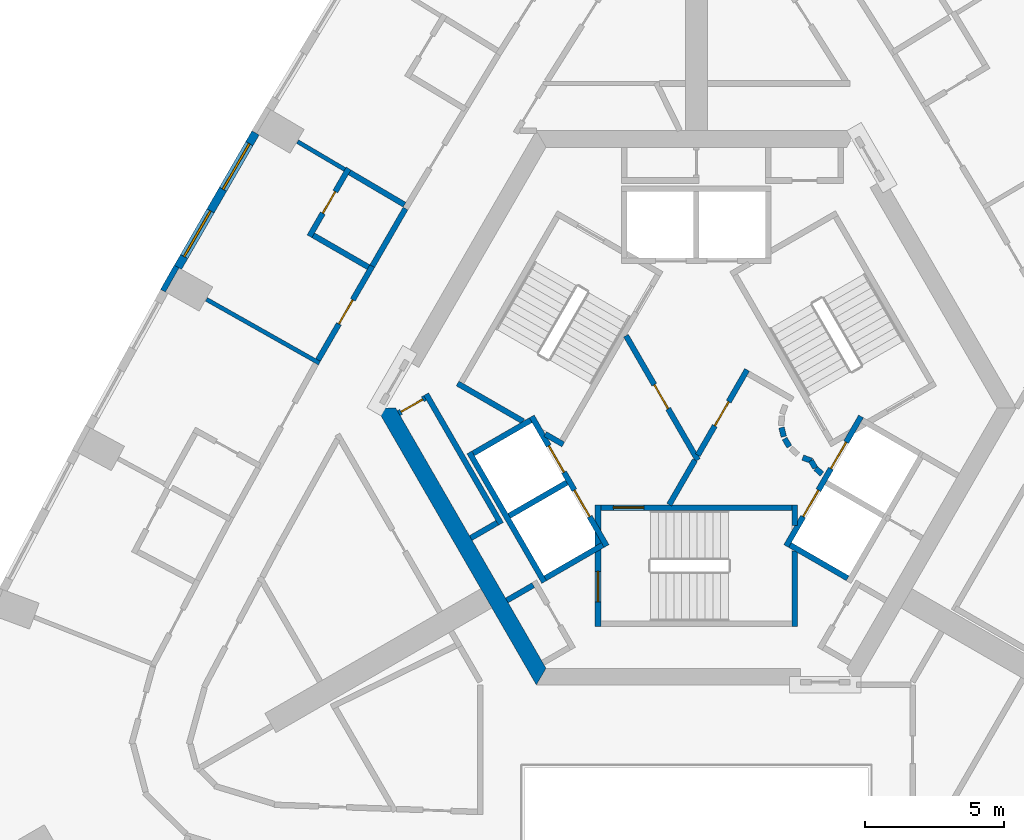
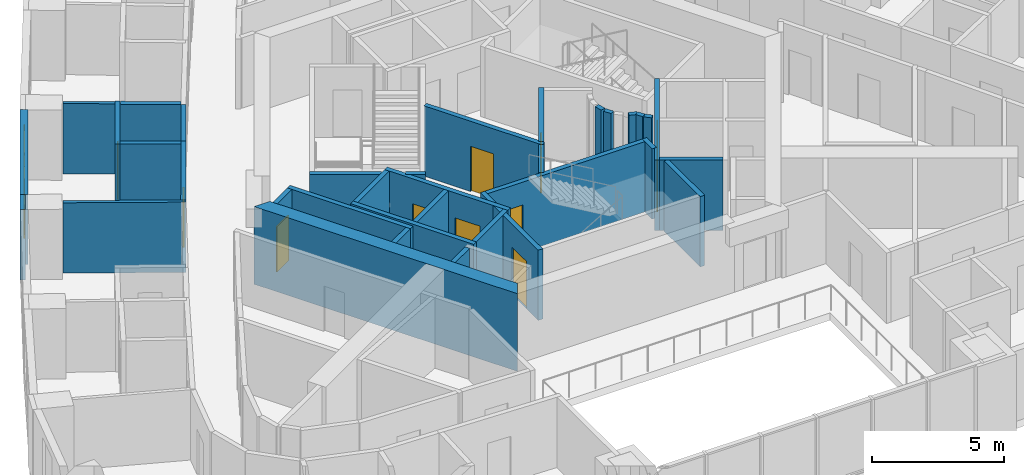
# One storey, part 5 of 12: 35 walls, 11 doors, 2 windows, 13 openings.
"""IFC4 building model written with IfcOpenShell, lengths in metres."""

import ifcopenshell
import ifcopenshell.guid

model = None  # the IFC model being written
_history = None  # IfcOwnerHistory: only IFC2X3 demands one
_inside = {}  # id of a spatial element -> (the spatial element, [elements in it])
_under = {}  # id of a project, library or spatial element -> (it, [spatial elements below it])
_declared = {}  # id of a project -> (the project, [libraries it declares])
_typed = {}  # id of a type object -> (the type object, [elements of that type])
_made_of = {}  # id of a material, layer set ... -> (it, [elements and type objects made of it])


def new_model(schema):
    """Start an empty IFC model of exactly this schema.

    Asked for "IFC4X3", IfcOpenShell would pick the latest addendum, in which some entities
    have other attributes; the version numbers below select the first issue.
    IFC2X3 requires an IfcOwnerHistory on every rooted entity: one is made here for all.
    """
    global model, _history
    if schema == "IFC4X3":
        model = ifcopenshell.file(schema_version=(4, 3, 0, 0))
    else:
        model = ifcopenshell.file(schema=schema)
    _inside.clear()
    _under.clear()
    _declared.clear()
    _typed.clear()
    _made_of.clear()
    _history = None
    if model.schema == "IFC2X3":
        org = make("IfcOrganization", Name="unknown")
        user = make(
            "IfcPersonAndOrganization",
            ThePerson=make("IfcPerson", FamilyName="unknown"),
            TheOrganization=org,
        )
        app = make(
            "IfcApplication",
            ApplicationDeveloper=org,
            Version="unknown",
            ApplicationFullName="unknown",
            ApplicationIdentifier="unknown",
        )
        _history = make(
            "IfcOwnerHistory",
            OwningUser=user,
            OwningApplication=app,
            ChangeAction="ADDED",
            CreationDate=0,
        )
    return model


def make(cls, **values):
    """One entity of the class cls with the attributes given. An attribute that is None is left unset."""
    return model.create_entity(
        cls, **{name: value for name, value in values.items() if value is not None}
    )


def rooted(cls, **values):
    """An entity with a GlobalId (a new one), such as an element, a storey or a relation."""
    return make(cls, GlobalId=ifcopenshell.guid.new(), OwnerHistory=_history, **values)


def si_unit(unit_type, name, prefix=None):
    """IfcSIUnit, for example si_unit("LENGTHUNIT", "METRE", prefix="MILLI")."""
    return make("IfcSIUnit", UnitType=unit_type, Prefix=prefix, Name=name)


def assignment(units):
    """IfcUnitAssignment: the units of a project."""
    return None if units is None else make("IfcUnitAssignment", Units=units)


def point(xyz):
    """IfcCartesianPoint."""
    return None if xyz is None else make("IfcCartesianPoint", Coordinates=xyz)


def direction(xyz):
    """IfcDirection."""
    return None if xyz is None else make("IfcDirection", DirectionRatios=xyz)


def frame(location, z_axis=None, x_axis=None):
    """IfcAxis2Placement3D, a coordinate frame: its origin and axes. An axis left out is left unset."""
    return make(
        "IfcAxis2Placement3D",
        Location=point(location),
        Axis=direction(z_axis),
        RefDirection=direction(x_axis),
    )


def frame_2d(location, x_axis=None):
    """IfcAxis2Placement2D, a coordinate frame in the plane: its origin and x axis."""
    return make(
        "IfcAxis2Placement2D", Location=point(location), RefDirection=direction(x_axis)
    )


def origin():
    """The frame at (0, 0, 0) with its axes left unset."""
    return frame((0.0, 0.0, 0.0))


def place(relative_to, where):
    """IfcLocalPlacement: puts the frame where relative to a parent placement (None: the world)."""
    return make(
        "IfcLocalPlacement", PlacementRelTo=relative_to, RelativePlacement=where
    )


def context(
    kind, dimensions, precision=None, world=None, true_north=None, identifier=None
):
    """IfcGeometricRepresentationContext, for example the 3D "Model" context."""
    return make(
        "IfcGeometricRepresentationContext",
        ContextIdentifier=identifier,
        ContextType=kind,
        CoordinateSpaceDimension=dimensions,
        Precision=precision,
        WorldCoordinateSystem=world,
        TrueNorth=true_north,
    )


def subcontext(parent, identifier, kind, view, scale=None):
    """IfcGeometricRepresentationSubContext, for example "Body" below "Model"."""
    return make(
        "IfcGeometricRepresentationSubContext",
        ContextIdentifier=identifier,
        ContextType=kind,
        ParentContext=parent,
        TargetScale=scale,
        TargetView=view,
    )


def project(units=None, contexts=None):
    """IfcProject with its units and contexts."""
    return rooted(
        "IfcProject",
        Name="project",
        RepresentationContexts=contexts,
        UnitsInContext=assignment(units),
    )


def spatial(cls, under=None, at=None, **own):
    """A site, building, storey or space (cls), placed at a placement, below another one or the project."""
    s = rooted(cls, ObjectPlacement=at, **own)
    if under is not None:
        _under.setdefault(under.id(), (under, []))[1].append(s)
    return s


def polyline(points):
    """IfcPolyline through the points."""
    return make("IfcPolyline", Points=[point(p) for p in points])


def profile(cls, at=None, kind="AREA", **sizes):
    """A parametric profile (cls). Its sizes go by their IFC names, for example OverallWidth=200.0."""
    return make(cls, ProfileType=kind, Position=at, **sizes)


def rectangle(**sizes):
    """IfcRectangleProfileDef."""
    return profile("IfcRectangleProfileDef", **sizes)


def outline(outer, holes=None, kind="AREA"):
    """IfcArbitraryClosedProfileDef: a profile drawn as a closed curve; with holes, ...WithVoids."""
    if holes is None:
        return make("IfcArbitraryClosedProfileDef", ProfileType=kind, OuterCurve=outer)
    return make(
        "IfcArbitraryProfileDefWithVoids",
        ProfileType=kind,
        OuterCurve=outer,
        InnerCurves=holes,
    )


def extrude(swept, where, along, depth):
    """IfcExtrudedAreaSolid: the profile swept, set in the frame where, extruded along a direction by depth."""
    return make(
        "IfcExtrudedAreaSolid",
        SweptArea=swept,
        Position=where,
        ExtrudedDirection=direction(along),
        Depth=depth,
    )


def shape(context_of_items, identifier, shape_type, items):
    """IfcShapeRepresentation: the items that make up one representation, for example the "Body"."""
    return make(
        "IfcShapeRepresentation",
        ContextOfItems=context_of_items,
        RepresentationIdentifier=identifier,
        RepresentationType=shape_type,
        Items=items,
    )


def material(Name=None, Category=None):
    """IfcMaterial."""
    return make("IfcMaterial", Name=Name, Category=Category)


def layer(
    of_material, thickness, ventilated=None, Name=None, Category=None, Priority=None
):
    """IfcMaterialLayer: one layer of a wall or slab, of a material (None: an air gap)."""
    return make(
        "IfcMaterialLayer",
        Material=of_material,
        LayerThickness=thickness,
        IsVentilated=ventilated,
        Name=Name,
        Category=Category,
        Priority=Priority,
    )


def layer_set(layers, Name=None):
    """IfcMaterialLayerSet."""
    return make("IfcMaterialLayerSet", MaterialLayers=layers, LayerSetName=Name)


def made_of(thing, what):
    """Note that an element or type object is made of a material, layer set ...; save() writes the relation."""
    if what is not None:
        _made_of.setdefault(what.id(), (what, []))[1].append(thing)
    return thing


def type_object(cls, material=None, **own):
    """A type object (cls), such as IfcWallType, which elements share."""
    return made_of(rooted(cls, **own), material)


def element(
    cls,
    number,
    at=None,
    inside=None,
    cuts=None,
    type_object=None,
    material=None,
    context=None,
    identifier="Body",
    shape_type=None,
    held_by="IfcProductDefinitionShape",
    body=None,
    shapes=None,
    **own,
):
    """One element of the class cls, such as IfcWall. Its Tag is "e" and its number.

    at: its placement. inside: the storey or other place that contains it. cuts: it is an
    opening in that element (IfcRelVoidsElement). A single representation is given by context,
    identifier, shape_type and body (its items); several are given by shapes. held_by: the class
    of the entity that holds the representations. save() writes the other relations.
    """
    e = rooted(cls, Tag="e%d" % number, ObjectPlacement=at, **own)
    if body is not None:
        shapes = [shape(context, identifier, shape_type, body)]
    if shapes is not None:
        e.Representation = make(held_by, Representations=shapes)
    if inside is not None:
        _inside.setdefault(inside.id(), (inside, []))[1].append(e)
    if cuts is not None:
        rooted(
            "IfcRelVoidsElement", RelatingBuildingElement=cuts, RelatedOpeningElement=e
        )
    if type_object is not None:
        _typed.setdefault(type_object.id(), (type_object, []))[1].append(e)
    return made_of(e, material)


def fill(opening, filler):
    """IfcRelFillsElement: the door or window that sits in an opening."""
    return rooted(
        "IfcRelFillsElement",
        RelatingOpeningElement=opening,
        RelatedBuildingElement=filler,
    )


def aggregate(whole, parts):
    """IfcRelAggregates: a whole, such as a stair, and the parts it consists of."""
    return rooted("IfcRelAggregates", RelatingObject=whole, RelatedObjects=parts)


def save(model, path):
    """Write the relations noted so far, then the file.

    IfcRelAggregates (storeys below a building ...), IfcRelContainedInSpatialStructure (elements
    in a storey), IfcRelDefinesByType, IfcRelAssociatesMaterial and IfcRelDeclares: one each for
    every whole, place, type object, material and project.
    """
    for whole, parts in _under.values():
        aggregate(whole, parts)
    for where, things in _inside.values():
        rooted(
            "IfcRelContainedInSpatialStructure",
            RelatedElements=things,
            RelatingStructure=where,
        )
    for kind, things in _typed.values():
        rooted("IfcRelDefinesByType", RelatedObjects=things, RelatingType=kind)
    for what, things in _made_of.values():
        rooted("IfcRelAssociatesMaterial", RelatedObjects=things, RelatingMaterial=what)
    for by, libraries in _declared.values():
        rooted("IfcRelDeclares", RelatingContext=by, RelatedDefinitions=libraries)
    model.write(path)


model = new_model("IFC4")

# Units and contexts
model_context = context("Model", 3, precision=1e-05, world=origin(), true_north=direction((0.0, 1.0)))
body_context = subcontext(model_context, "Body", "Model", "MODEL_VIEW")
ifc_project = project(units=[si_unit("LENGTHUNIT", "METRE"), si_unit("AREAUNIT", "SQUARE_METRE"), si_unit("VOLUMEUNIT", "CUBIC_METRE"), si_unit("PLANEANGLEUNIT", "RADIAN"), si_unit("MASSUNIT", "GRAM", prefix="KILO")], contexts=[model_context])

# Site, building, storey
site_placement = place(None, origin())
site = spatial("IfcSite", under=ifc_project, at=site_placement, CompositionType="ELEMENT")
building_placement = place(site_placement, origin())
building = spatial("IfcBuilding", under=site, at=building_placement, Name="Entoto Arch Interchange Tower", CompositionType="ELEMENT")
storey_placement = place(building_placement, frame((0.0, 0.0, 255.800048828125)))
storey = spatial("IfcBuildingStorey", under=building, at=storey_placement, Name="L58", CompositionType="ELEMENT", Elevation=255.800048828125)

# Wall
ifc_material_1 = material(Name="Concrete C40/50", Category="concrete")
ifc_layer_1 = layer(ifc_material_1, 0.60009765625)
ifc_layer_set_1 = layer_set([ifc_layer_1], Name="Concrete C40/50")
wall_type_1 = type_object("IfcWallType", Name="Core wall 600 C40/50", PredefinedType="SHEAR", material=ifc_layer_set_1)
wall_1_placement = place(storey_placement, frame((0.0, 0.0, -0.340087890625)))
element("IfcWall", 1, at=wall_1_placement, inside=storey, type_object=wall_type_1, Name="Core wall SW L58", PredefinedType="SHEAR", context=body_context, shape_type="SweptSolid", body=[
    extrude(outline(polyline([(-11.547119140625, 2.5), (-5.77392578125, -7.5), (-5.427001953125, -6.89990234375), (-10.85400390625, 2.5), (-11.547119140625, 2.5)])), origin(), (0.0, 0.0, 1.0), 3.60009765625),
])

# Wall, openings, doors
ifc_layer_2 = layer(ifc_material_1, 0.199951171875)
ifc_layer_set_2 = layer_set([ifc_layer_2], Name="Concrete C40/50")
wall_type_2 = type_object("IfcWallType", Name="LIFT SHAFT WALL 200", PredefinedType="STANDARD", material=ifc_layer_set_2)
wall_2_placement = place(storey_placement, frame((-5.93994140625, 2.18798828125, 0.0), z_axis=(0.0, 0.0, 1.0), x_axis=(0.500034260056, -0.866005622828, 0.0)))
wall_2 = element("IfcWall", 2, at=wall_2_placement, inside=storey, type_object=wall_type_2, Name="Shaft wall SW1 front", PredefinedType="STANDARD", context=body_context, shape_type="SweptSolid", body=[
    extrude(rectangle(XDim=5.3994140625, YDim=0.199951171875, at=frame_2d((2.69970703125, 0.0))), origin(), (0.0, 0.0, 1.0), 3.260009765625),
])
opening_1_placement = place(wall_2_placement, frame((3.074951171875, 0.0, 0.0)))
opening_1 = element("IfcOpeningElement", 3, at=opening_1_placement, cuts=wall_2, Name="Opening LD-HR4-L58", PredefinedType="OPENING", context=body_context, shape_type="SweptSolid", body=[
    extrude(rectangle(XDim=1.10009765625, YDim=2.10009765625, at=frame_2d((0.550048828125, 1.050048828125))), frame((0.0, 0.10986328125, 0.0), z_axis=(0.0, -1.0, 0.0), x_axis=(1.0, 0.0, 0.0)), (0.0, 0.0, 1.0), 0.219970703125),
])
opening_2_placement = place(wall_2_placement, frame((1.22509765625, 0.0, 0.0)))
opening_2 = element("IfcOpeningElement", 4, at=opening_2_placement, cuts=wall_2, Name="Opening LD-FF2-L58", PredefinedType="OPENING", context=body_context, shape_type="SweptSolid", body=[
    extrude(rectangle(XDim=1.10009765625, YDim=2.10009765625, at=frame_2d((0.550048828125, 1.050048828125))), frame((0.0, 0.10986328125, 0.0), z_axis=(0.0, -1.0, 0.0), x_axis=(1.0, 0.0, 0.0)), (0.0, 0.0, 1.0), 0.219970703125),
])
ifc_material_2 = material(Name="Stainless steel 1.4301 panels", Category="steel")
door_type_1 = type_object("IfcDoorType", Name="LIFT LANDING DOOR LD1 1100x2100", OperationType="SLIDING_TO_LEFT", PredefinedType="DOOR", material=ifc_material_2)
door_1_placement = place(opening_1_placement, origin())
door_1 = element("IfcDoor", 5, at=door_1_placement, inside=storey, type_object=door_type_1, Name="Lift landing door HR4 L58", OperationType="SLIDING_TO_LEFT", OverallHeight=2.10009765625, OverallWidth=1.10009765625, PredefinedType="DOOR", context=body_context, shape_type="SweptSolid", body=[
    extrude(rectangle(XDim=1.10009765625, YDim=2.10009765625, at=frame_2d((0.550048828125, 1.050048828125))), frame((0.0, 0.02490234375, 0.0), z_axis=(0.0, -1.0, 0.0), x_axis=(1.0, 0.0, 0.0)), (0.0, 0.0, 1.0), 0.050048828125),
])
fill(opening_1, door_1)
door_2_placement = place(opening_2_placement, origin())
door_2 = element("IfcDoor", 6, at=door_2_placement, inside=storey, type_object=door_type_1, Name="Lift landing door FF2 L58", OperationType="SLIDING_TO_LEFT", OverallHeight=2.10009765625, OverallWidth=1.10009765625, PredefinedType="DOOR", context=body_context, shape_type="SweptSolid", body=[
    extrude(rectangle(XDim=1.10009765625, YDim=2.10009765625, at=frame_2d((0.550048828125, 1.050048828125))), frame((0.0, 0.02490234375, 0.0), z_axis=(0.0, -1.0, 0.0), x_axis=(1.0, 0.0, 0.0)), (0.0, 0.0, 1.0), 0.050048828125),
])
fill(opening_2, door_2)

# Walls
wall_3_placement = place(storey_placement, frame((-8.19189453125, 0.887939453125, 0.0), z_axis=(0.0, 0.0, 1.0), x_axis=(0.500034260056, -0.866005622828, 0.0)))
element("IfcWall", 7, at=wall_3_placement, inside=storey, type_object=wall_type_2, Name="Shaft wall SW1 back", PredefinedType="STANDARD", context=body_context, shape_type="SweptSolid", body=[
    extrude(rectangle(XDim=5.3994140625, YDim=0.199951171875, at=frame_2d((2.69970703125, 0.0))), origin(), (0.0, 0.0, 1.0), 3.260009765625),
])
for number, where, z_axis, x_axis, name in (
    (8, (-5.97705078125, 2.052001953125, 0.0), (0.0, 0.0, 1.0), (-0.865973769406, -0.500089422704, 0.0), "Shaft wall SW1 cross 1"),
    (9, (-4.677001953125, -0.199951171875, 0.0), (0.0, 0.0, 1.0), (-0.865973769406, -0.500089422704, 0.0), "Shaft wall SW1 cross 2"),
):
    element("IfcWall", number, at=place(storey_placement, frame(where, z_axis=z_axis, x_axis=x_axis)), inside=storey, type_object=wall_type_2, Name=name, PredefinedType="STANDARD", context=body_context, shape_type="SweptSolid", body=[
        extrude(rectangle(XDim=2.3994140625, YDim=0.199951171875, at=frame_2d((1.19970703125, 0.0))), origin(), (0.0, 0.0, 1.0), 3.260009765625),
    ])
wall_4_placement = place(storey_placement, frame((-3.376953125, -2.451904296875, 0.0), z_axis=(0.0, 0.0, 1.0), x_axis=(-0.865955154139, -0.50012165622, 0.0)))
element("IfcWall", 10, at=wall_4_placement, inside=storey, type_object=wall_type_2, Name="Shaft wall SW1 cross 3", PredefinedType="STANDARD", context=body_context, shape_type="SweptSolid", body=[
    extrude(rectangle(XDim=2.39990234375, YDim=0.199951171875, at=frame_2d((1.199951171875, 0.0))), origin(), (0.0, 0.0, 1.0), 3.260009765625),
])

# Wall, openings, doors
wall_5_placement = place(storey_placement, frame((3.239990234375, -2.488037109375, 0.0), z_axis=(0.0, 0.0, 1.0), x_axis=(0.500034260056, 0.866005622828, 0.0)))
wall_5 = element("IfcWall", 11, at=wall_5_placement, inside=storey, type_object=wall_type_2, Name="Shaft wall SE1 front", PredefinedType="STANDARD", context=body_context, shape_type="SweptSolid", body=[
    extrude(rectangle(XDim=5.3994140625, YDim=0.199951171875, at=frame_2d((2.69970703125, 0.0))), origin(), (0.0, 0.0, 1.0), 3.260009765625),
])
opening_3_placement = place(wall_5_placement, frame((3.22509765625, 0.0, 0.0)))
opening_3 = element("IfcOpeningElement", 12, at=opening_3_placement, cuts=wall_5, Name="Opening LD-HR3-L58", PredefinedType="OPENING", context=body_context, shape_type="SweptSolid", body=[
    extrude(rectangle(XDim=1.10009765625, YDim=2.10009765625, at=frame_2d((0.550048828125, 1.050048828125))), frame((0.0, 0.10986328125, 0.0), z_axis=(0.0, -1.0, 0.0), x_axis=(1.0, 0.0, 0.0)), (0.0, 0.0, 1.0), 0.219970703125),
])
opening_4_placement = place(wall_5_placement, frame((1.22509765625, 0.0, 0.0)))
opening_4 = element("IfcOpeningElement", 13, at=opening_4_placement, cuts=wall_5, Name="Opening LD-FF1-L58", PredefinedType="OPENING", context=body_context, shape_type="SweptSolid", body=[
    extrude(rectangle(XDim=1.10009765625, YDim=2.10009765625, at=frame_2d((0.550048828125, 1.050048828125))), frame((0.0, 0.10986328125, 0.0), z_axis=(0.0, -1.0, 0.0), x_axis=(1.0, 0.0, 0.0)), (0.0, 0.0, 1.0), 0.219970703125),
])
door_3_placement = place(opening_3_placement, origin())
door_3 = element("IfcDoor", 14, at=door_3_placement, inside=storey, type_object=door_type_1, Name="Lift landing door HR3 L58", OperationType="SLIDING_TO_LEFT", OverallHeight=2.10009765625, OverallWidth=1.10009765625, PredefinedType="DOOR", context=body_context, shape_type="SweptSolid", body=[
    extrude(rectangle(XDim=1.10009765625, YDim=2.10009765625, at=frame_2d((0.550048828125, 1.050048828125))), frame((0.0, 0.02490234375, 0.0), z_axis=(0.0, -1.0, 0.0), x_axis=(1.0, 0.0, 0.0)), (0.0, 0.0, 1.0), 0.050048828125),
])
fill(opening_3, door_3)
door_4_placement = place(opening_4_placement, origin())
door_4 = element("IfcDoor", 15, at=door_4_placement, inside=storey, type_object=door_type_1, Name="Lift landing door FF1 L58", OperationType="SLIDING_TO_LEFT", OverallHeight=2.10009765625, OverallWidth=1.10009765625, PredefinedType="DOOR", context=body_context, shape_type="SweptSolid", body=[
    extrude(rectangle(XDim=1.10009765625, YDim=2.10009765625, at=frame_2d((0.550048828125, 1.050048828125))), frame((0.0, 0.02490234375, 0.0), z_axis=(0.0, -1.0, 0.0), x_axis=(1.0, 0.0, 0.0)), (0.0, 0.0, 1.0), 0.050048828125),
])
fill(opening_4, door_4)

# Walls
wall_6_placement = place(storey_placement, frame((3.376953125, -2.451904296875, 0.0), z_axis=(0.0, 0.0, 1.0), x_axis=(0.865955154139, -0.50012165622, 0.0)))
element("IfcWall", 16, at=wall_6_placement, inside=storey, type_object=wall_type_2, Name="Shaft wall SE1 cross 1", PredefinedType="STANDARD", context=body_context, shape_type="SweptSolid", body=[
    extrude(rectangle(XDim=2.39990234375, YDim=0.199951171875, at=frame_2d((1.199951171875, 0.0))), origin(), (0.0, 0.0, 1.0), 3.260009765625),
])
ifc_material_3 = material(Name="Gypsum board partition on steel studs", Category="steel")
ifc_layer_3 = layer(ifc_material_3, 0.14990234375)
ifc_layer_set_3 = layer_set([ifc_layer_3], Name="Gypsum board partition on steel studs")
wall_type_3 = type_object("IfcWallType", Name="PARTITION 150", PredefinedType="PARTITIONING", material=ifc_layer_set_3)
wall_7_placement = place(storey_placement, frame((-12.68505859375, 11.095947265625, 0.0), z_axis=(0.0, 0.0, 1.0), x_axis=(-0.861157054724, 0.508338988371, 0.0)))
element("IfcWall", 17, at=wall_7_placement, inside=storey, type_object=wall_type_3, Name="wall:L58:p163", PredefinedType="PARTITIONING", context=body_context, shape_type="SweptSolid", body=[
    extrude(rectangle(XDim=1.981201171875, YDim=0.14990234375, at=frame_2d((0.99072265625, 0.0))), origin(), (0.0, 0.0, 1.0), 3.260009765625),
])
wall_8_placement = place(storey_placement, frame((-13.60205078125, 4.110107421875, 0.0), z_axis=(0.0, 0.0, 1.0), x_axis=(-0.870787203306, 0.491660092502, 0.0)))
element("IfcWall", 18, at=wall_8_placement, inside=storey, type_object=wall_type_3, Name="wall:L58:p167", PredefinedType="PARTITIONING", context=body_context, shape_type="SweptSolid", body=[
    extrude(rectangle(XDim=4.6796875, YDim=0.14990234375, at=frame_2d((2.33984375, 0.0))), origin(), (0.0, 0.0, 1.0), 3.260009765625),
])

# Wall, opening, door
ifc_layer_4 = layer(ifc_material_3, 0.199951171875)
ifc_layer_set_4 = layer_set([ifc_layer_4], Name="Gypsum board partition on steel studs")
wall_type_4 = type_object("IfcWallType", Name="PARTITION 200", PredefinedType="PARTITIONING", material=ifc_layer_set_4)
wall_9_placement = place(storey_placement, frame((-13.652099609375, 4.22412109375, 0.0), z_axis=(0.0, 0.0, 1.0), x_axis=(0.500221427001, 0.865897525097, 0.0)))
wall_9 = element("IfcWall", 19, at=wall_9_placement, inside=storey, type_object=wall_type_4, Name="wall:L58:p060", PredefinedType="PARTITIONING", context=body_context, shape_type="SweptSolid", body=[
    extrude(rectangle(XDim=3.910400390625, YDim=0.199951171875, at=frame_2d((1.955078125, 0.0))), origin(), (0.0, 0.0, 1.0), 3.260009765625),
])
opening_5_placement = place(wall_9_placement, frame((1.5048828125, 0.0, 0.0)))
opening_5 = element("IfcOpeningElement", 20, at=opening_5_placement, cuts=wall_9, Name="Opening L58-D23", PredefinedType="OPENING", context=body_context, shape_type="SweptSolid", body=[
    extrude(rectangle(XDim=1.0, YDim=2.10009765625, at=frame_2d((0.5, 1.050048828125))), frame((0.0, 0.10986328125, 0.0), z_axis=(0.0, -1.0, 0.0), x_axis=(1.0, 0.0, 0.0)), (0.0, 0.0, 1.0), 0.219970703125),
])
ifc_material_4 = material(Name="Fire-rated Steel S235 door and frame", Category="steel")
door_type_2 = type_object("IfcDoorType", Name="DOOR FD-10 1000x2100", OperationType="SINGLE_SWING_LEFT", PredefinedType="DOOR", material=ifc_material_4)
door_5_placement = place(opening_5_placement, origin())
door_5 = element("IfcDoor", 21, at=door_5_placement, inside=storey, type_object=door_type_2, Name="door:L58:23", OperationType="SINGLE_SWING_RIGHT", OverallHeight=2.10009765625, OverallWidth=1.0, PredefinedType="DOOR", context=body_context, shape_type="SweptSolid", body=[
    extrude(rectangle(XDim=1.0, YDim=2.10009765625, at=frame_2d((0.5, 1.050048828125))), frame((0.0, 0.02490234375, 0.0), z_axis=(0.0, -1.0, 0.0), x_axis=(1.0, 0.0, 0.0)), (0.0, 0.0, 1.0), 0.050048828125),
])
fill(opening_5, door_5)

# Wall
wall_10_placement = place(storey_placement, frame((-11.696044921875, 7.610107421875, 0.0), z_axis=(0.0, 0.0, 1.0), x_axis=(0.500089422704, 0.865973769406, 0.0)))
element("IfcWall", 22, at=wall_10_placement, inside=storey, type_object=wall_type_4, Name="wall:L58:p061", PredefinedType="PARTITIONING", context=body_context, shape_type="SweptSolid", body=[
    extrude(rectangle(XDim=2.3994140625, YDim=0.199951171875, at=frame_2d((1.19970703125, 0.0))), origin(), (0.0, 0.0, 1.0), 3.260009765625),
])

# Wall, opening, door
wall_11_placement = place(storey_placement, frame((-10.740966796875, 2.302978515625, 0.0), z_axis=(0.0, 0.0, 1.0), x_axis=(0.866063652425, 0.499933745558, 0.0)))
wall_11 = element("IfcWall", 23, at=wall_11_placement, inside=storey, type_object=wall_type_4, Name="wall:L58:p083", PredefinedType="PARTITIONING", context=body_context, shape_type="SweptSolid", body=[
    extrude(rectangle(XDim=1.100341796875, YDim=0.199951171875, at=frame_2d((0.55029296875, 0.0))), origin(), (0.0, 0.0, 1.0), 3.260009765625),
])
opening_6_placement = place(wall_11_placement, frame((0.10009765625, 0.0, 0.0)))
opening_6 = element("IfcOpeningElement", 24, at=opening_6_placement, cuts=wall_11, Name="Opening L58-D52", PredefinedType="OPENING", context=body_context, shape_type="SweptSolid", body=[
    extrude(rectangle(XDim=0.89990234375, YDim=2.10009765625, at=frame_2d((0.449951171875, 1.050048828125))), frame((0.0, 0.10986328125, 0.0), z_axis=(0.0, -1.0, 0.0), x_axis=(1.0, 0.0, 0.0)), (0.0, 0.0, 1.0), 0.219970703125),
])
ifc_material_5 = material(Name="Timber door leaf in Steel S235 frame", Category="steel")
door_type_3 = type_object("IfcDoorType", Name="DOOR DS-09 900x2100", OperationType="SINGLE_SWING_LEFT", PredefinedType="DOOR", material=ifc_material_5)
door_6_placement = place(opening_6_placement, origin())
door_6 = element("IfcDoor", 25, at=door_6_placement, inside=storey, type_object=door_type_3, Name="door:L58:52", OperationType="SINGLE_SWING_RIGHT", OverallHeight=2.10009765625, OverallWidth=0.89990234375, PredefinedType="DOOR", context=body_context, shape_type="SweptSolid", body=[
    extrude(rectangle(XDim=0.89990234375, YDim=2.10009765625, at=frame_2d((0.449951171875, 1.050048828125))), frame((0.0, 0.02490234375, 0.0), z_axis=(0.0, -1.0, 0.0), x_axis=(1.0, 0.0, 0.0)), (0.0, 0.0, 1.0), 0.050048828125),
])
fill(opening_6, door_6)

# Walls
wall_12_placement = place(storey_placement, frame((-9.7509765625, 2.989990234375, 0.0), z_axis=(0.0, 0.0, 1.0), x_axis=(0.499955951776, -0.866050833545, 0.0)))
element("IfcWall", 26, at=wall_12_placement, inside=storey, type_object=wall_type_4, Name="wall:L58:p084", PredefinedType="PARTITIONING", context=body_context, shape_type="SweptSolid", body=[
    extrude(rectangle(XDim=5.400390625, YDim=0.199951171875, at=frame_2d((2.7001953125, 0.0))), origin(), (0.0, 0.0, 1.0), 3.260009765625),
])
wall_13_placement = place(storey_placement, frame((-7.18798828125, -1.64990234375, 0.0), z_axis=(0.0, 0.0, 1.0), x_axis=(-0.865841558281, -0.500318294642, 0.0)))
element("IfcWall", 27, at=wall_13_placement, inside=storey, type_object=wall_type_4, Name="wall:L58:p085", PredefinedType="PARTITIONING", context=body_context, shape_type="SweptSolid", body=[
    extrude(rectangle(XDim=1.099365234375, YDim=0.199951171875, at=frame_2d((0.5498046875, 0.0))), origin(), (0.0, 0.0, 1.0), 3.260009765625),
])
wall_14_placement = place(storey_placement, frame((-6.841064453125, -4.451904296875, 0.0), z_axis=(0.0, 0.0, 1.0), x_axis=(0.86621513555, 0.499671230855, 0.0)))
element("IfcWall", 28, at=wall_14_placement, inside=storey, type_object=wall_type_4, Name="wall:L58:p086", PredefinedType="PARTITIONING", context=body_context, shape_type="SweptSolid", body=[
    extrude(rectangle(XDim=1.100341796875, YDim=0.199951171875, at=frame_2d((0.55029296875, 0.0))), origin(), (0.0, 0.0, 1.0), 3.260009765625),
])
wall_15_placement = place(storey_placement, frame((-0.98193359375, -1.0, 0.0), z_axis=(0.0, 0.0, 1.0), x_axis=(0.50024047865, 0.865886518847, 0.0)))
element("IfcWall", 29, at=wall_15_placement, inside=storey, type_object=wall_type_4, Name="wall:L58:p093", PredefinedType="PARTITIONING", context=body_context, shape_type="SweptSolid", body=[
    extrude(rectangle(XDim=1.86279296875, YDim=0.199951171875, at=frame_2d((0.931396484375, 0.0))), origin(), (0.0, 0.0, 1.0), 3.260009765625),
])

# Wall, opening, door
wall_16_placement = place(storey_placement, frame((0.050048828125, 0.787109375, 0.0), z_axis=(0.0, 0.0, 1.0), x_axis=(0.499954076797, 0.866051915934, 0.0)))
wall_16 = element("IfcWall", 30, at=wall_16_placement, inside=storey, type_object=wall_type_4, Name="wall:L58:p094", PredefinedType="PARTITIONING", context=body_context, shape_type="SweptSolid", body=[
    extrude(rectangle(XDim=3.558349609375, YDim=0.199951171875, at=frame_2d((1.779296875, 0.0))), origin(), (0.0, 0.0, 1.0), 3.260009765625),
])
opening_7_placement = place(wall_16_placement, frame((1.22900390625, 0.0, 0.0)))
opening_7 = element("IfcOpeningElement", 31, at=opening_7_placement, cuts=wall_16, Name="Opening L58-D46", PredefinedType="OPENING", context=body_context, shape_type="SweptSolid", body=[
    extrude(rectangle(XDim=1.0, YDim=2.10009765625, at=frame_2d((0.5, 1.050048828125))), frame((0.0, 0.10986328125, 0.0), z_axis=(0.0, -1.0, 0.0), x_axis=(1.0, 0.0, 0.0)), (0.0, 0.0, 1.0), 0.219970703125),
])
door_7_placement = place(opening_7_placement, origin())
door_7 = element("IfcDoor", 32, at=door_7_placement, inside=storey, type_object=door_type_2, Name="door:L58:46", OperationType="SINGLE_SWING_RIGHT", OverallHeight=2.10009765625, OverallWidth=1.0, PredefinedType="DOOR", context=body_context, shape_type="SweptSolid", body=[
    extrude(rectangle(XDim=1.0, YDim=2.10009765625, at=frame_2d((0.5, 1.050048828125))), frame((0.0, 0.02490234375, 0.0), z_axis=(0.0, -1.0, 0.0), x_axis=(1.0, 0.0, 0.0)), (0.0, 0.0, 1.0), 0.050048828125),
])
fill(opening_7, door_7)

# Walls
wall_17_placement = place(storey_placement, frame((3.070068359375, 1.785888671875, 0.0), z_axis=(0.0, 0.0, 1.0), x_axis=(0.242705583207, -0.970099994784, 0.0)))
element("IfcWall", 33, at=wall_17_placement, inside=storey, type_object=wall_type_4, Name="wall:L58:p098", PredefinedType="PARTITIONING", context=body_context, shape_type="SweptSolid", body=[
    extrude(rectangle(XDim=0.337890625, YDim=0.199951171875, at=frame_2d((0.1689453125, 0.0))), origin(), (0.0, 0.0, 1.0), 3.260009765625),
])
wall_18_placement = place(storey_placement, frame((3.181884765625, 1.387939453125, 0.0), z_axis=(0.0, 0.0, 1.0), x_axis=(0.512474702713, -0.85870232274, 0.0)))
element("IfcWall", 34, at=wall_18_placement, inside=storey, type_object=wall_type_4, Name="wall:L58:p099", PredefinedType="PARTITIONING", context=body_context, shape_type="SweptSolid", body=[
    extrude(rectangle(XDim=0.337646484375, YDim=0.199951171875, at=frame_2d((0.1689453125, 0.0))), origin(), (0.0, 0.0, 1.0), 3.260009765625),
])
wall_19_placement = place(storey_placement, frame((3.837890625, 0.701904296875, 0.0), z_axis=(0.0, 0.0, 1.0), x_axis=(0.941035081519, -0.338308993895, 0.0)))
element("IfcWall", 35, at=wall_19_placement, inside=storey, type_object=wall_type_4, Name="wall:L58:p101", PredefinedType="PARTITIONING", context=body_context, shape_type="SweptSolid", body=[
    extrude(rectangle(XDim=0.3369140625, YDim=0.199951171875, at=frame_2d((0.16845703125, 0.0))), origin(), (0.0, 0.0, 1.0), 3.260009765625),
])
wall_20_placement = place(storey_placement, frame((4.132080078125, 0.593017578125, 0.0), z_axis=(0.0, 0.0, 1.0), x_axis=(0.513561617048, -0.858052717201, 0.0)))
element("IfcWall", 36, at=wall_20_placement, inside=storey, type_object=wall_type_4, Name="wall:L58:p102", PredefinedType="PARTITIONING", context=body_context, shape_type="SweptSolid", body=[
    extrude(rectangle(XDim=0.3076171875, YDim=0.199951171875, at=frame_2d((0.15380859375, 0.0))), origin(), (0.0, 0.0, 1.0), 3.260009765625),
])
wall_21_placement = place(storey_placement, frame((4.301025390625, 0.31494140625, 0.0), z_axis=(0.0, 0.0, 1.0), x_axis=(0.741798017506, -0.670623367639, 0.0)))
element("IfcWall", 37, at=wall_21_placement, inside=storey, type_object=wall_type_4, Name="wall:L58:p103", PredefinedType="PARTITIONING", context=body_context, shape_type="SweptSolid", body=[
    extrude(rectangle(XDim=0.30859375, YDim=0.199951171875, at=frame_2d((0.154296875, 0.0))), origin(), (0.0, 0.0, 1.0), 3.260009765625),
])

# Wall, opening, door
wall_22_placement = place(storey_placement, frame((-2.5400390625, 5.10009765625, 0.0), z_axis=(0.0, 0.0, 1.0), x_axis=(0.499925051871, -0.866068670783, 0.0)))
wall_22 = element("IfcWall", 38, at=wall_22_placement, inside=storey, type_object=wall_type_4, Name="wall:L58:p104", PredefinedType="PARTITIONING", context=body_context, shape_type="SweptSolid", body=[
    extrude(rectangle(XDim=5.180908203125, YDim=0.199951171875, at=frame_2d((2.59033203125, 0.0))), origin(), (0.0, 0.0, 1.0), 3.260009765625),
])
opening_8_placement = place(wall_22_placement, frame((2.0400390625, 0.0, 0.0)))
opening_8 = element("IfcOpeningElement", 39, at=opening_8_placement, cuts=wall_22, Name="Opening L58-D47", PredefinedType="OPENING", context=body_context, shape_type="SweptSolid", body=[
    extrude(rectangle(XDim=1.0, YDim=2.10009765625, at=frame_2d((0.5, 1.050048828125))), frame((0.0, 0.10986328125, 0.0), z_axis=(0.0, -1.0, 0.0), x_axis=(1.0, 0.0, 0.0)), (0.0, 0.0, 1.0), 0.219970703125),
])
door_8_placement = place(opening_8_placement, origin())
door_8 = element("IfcDoor", 40, at=door_8_placement, inside=storey, type_object=door_type_2, Name="door:L58:47", OperationType="SINGLE_SWING_RIGHT", OverallHeight=2.10009765625, OverallWidth=1.0, PredefinedType="DOOR", context=body_context, shape_type="SweptSolid", body=[
    extrude(rectangle(XDim=1.0, YDim=2.10009765625, at=frame_2d((0.5, 1.050048828125))), frame((0.0, 0.02490234375, 0.0), z_axis=(0.0, -1.0, 0.0), x_axis=(1.0, 0.0, 0.0)), (0.0, 0.0, 1.0), 0.050048828125),
])
fill(opening_8, door_8)

# Wall
wall_23_placement = place(storey_placement, frame((-10.531982421875, 9.825927734375, 0.0), z_axis=(0.0, 0.0, 1.0), x_axis=(-0.861311086958, 0.508077958077, 0.0)))
element("IfcWall", 41, at=wall_23_placement, inside=storey, type_object=wall_type_4, Name="wall:L58:p164", PredefinedType="PARTITIONING", context=body_context, shape_type="SweptSolid", body=[
    extrude(rectangle(XDim=2.298828125, YDim=0.199951171875, at=frame_2d((1.1494140625, 0.0))), origin(), (0.0, 0.0, 1.0), 3.260009765625),
])

# Wall, opening, door
wall_24_placement = place(storey_placement, frame((-12.548095703125, 11.132080078125, 0.0), z_axis=(0.0, 0.0, 1.0), x_axis=(-0.500313606915, -0.865844267022, 0.0)))
wall_24 = element("IfcWall", 42, at=wall_24_placement, inside=storey, type_object=wall_type_4, Name="wall:L58:p165", PredefinedType="PARTITIONING", context=body_context, shape_type="SweptSolid", body=[
    extrude(rectangle(XDim=2.823974609375, YDim=0.199951171875, at=frame_2d((1.412109375, 0.0))), origin(), (0.0, 0.0, 1.0), 3.260009765625),
])
opening_9_placement = place(wall_24_placement, frame((0.9619140625, 0.0, 0.0)))
opening_9 = element("IfcOpeningElement", 43, at=opening_9_placement, cuts=wall_24, Name="Opening L58-D24", PredefinedType="OPENING", context=body_context, shape_type="SweptSolid", body=[
    extrude(rectangle(XDim=0.89990234375, YDim=2.10009765625, at=frame_2d((0.449951171875, 1.050048828125))), frame((0.0, 0.10986328125, 0.0), z_axis=(0.0, -1.0, 0.0), x_axis=(1.0, 0.0, 0.0)), (0.0, 0.0, 1.0), 0.219970703125),
])
door_9_placement = place(opening_9_placement, origin())
door_9 = element("IfcDoor", 44, at=door_9_placement, inside=storey, type_object=door_type_3, Name="door:L58:24", OperationType="SINGLE_SWING_LEFT", OverallHeight=2.10009765625, OverallWidth=0.89990234375, PredefinedType="DOOR", context=body_context, shape_type="SweptSolid", body=[
    extrude(rectangle(XDim=0.89990234375, YDim=2.10009765625, at=frame_2d((0.449951171875, 1.050048828125))), frame((0.0, 0.02490234375, 0.0), z_axis=(0.0, -1.0, 0.0), x_axis=(1.0, 0.0, 0.0)), (0.0, 0.0, 1.0), 0.050048828125),
])
fill(opening_9, door_9)

# Wall
wall_25_placement = place(storey_placement, frame((-13.824951171875, 8.722900390625, 0.0), z_axis=(0.0, 0.0, 1.0), x_axis=(0.866053019151, -0.499952165731, 0.0)))
element("IfcWall", 45, at=wall_25_placement, inside=storey, type_object=wall_type_4, Name="wall:L58:p166", PredefinedType="PARTITIONING", context=body_context, shape_type="SweptSolid", body=[
    extrude(rectangle(XDim=2.300048828125, YDim=0.199951171875, at=frame_2d((1.14990234375, 0.0))), origin(), (0.0, 0.0, 1.0), 3.260009765625),
])

# Wall, opening, door
ifc_layer_5 = layer(ifc_material_1, 0.199951171875)
ifc_layer_set_5 = layer_set([ifc_layer_5], Name="Concrete C40/50")
wall_type_5 = type_object("IfcWallType", Name="STAIR ENCLOSURE WALL 200", PredefinedType="STANDARD", material=ifc_layer_set_5)
wall_26_placement = place(storey_placement, frame((-3.550048828125, -1.0, 0.0), z_axis=(0.0, 0.0, 1.0), x_axis=(0.0, -1.0, 0.0)))
wall_26 = element("IfcWall", 46, at=wall_26_placement, inside=storey, type_object=wall_type_5, Name="Stair wall ST-S near", PredefinedType="STANDARD", context=body_context, shape_type="SweptSolid", body=[
    extrude(rectangle(XDim=4.39990234375, YDim=0.199951171875, at=frame_2d((2.199951171875, 0.0))), origin(), (0.0, 0.0, 1.0), 3.260009765625),
])
opening_10_placement = place(wall_26_placement, frame((2.39990234375, 0.0, 0.0)))
opening_10 = element("IfcOpeningElement", 47, at=opening_10_placement, cuts=wall_26, Name="Opening SD-ST-S-L58-E", PredefinedType="OPENING", context=body_context, shape_type="SweptSolid", body=[
    extrude(rectangle(XDim=1.10009765625, YDim=2.199951171875, at=frame_2d((0.550048828125, 1.10009765625))), frame((0.0, 0.10986328125, 0.0), z_axis=(0.0, -1.0, 0.0), x_axis=(1.0, 0.0, 0.0)), (0.0, 0.0, 1.0), 0.219970703125),
])
ifc_material_6 = material(Name="Steel S235", Category="steel")
door_type_4 = type_object("IfcDoorType", Name="STAIR DOOR SD1 1100x2200", OperationType="SINGLE_SWING_LEFT", PredefinedType="DOOR", material=ifc_material_6)
door_10_placement = place(opening_10_placement, origin())
door_10 = element("IfcDoor", 48, at=door_10_placement, inside=storey, type_object=door_type_4, Name="Stair door ST-S L58 end", OperationType="SINGLE_SWING_LEFT", OverallHeight=2.199951171875, OverallWidth=1.10009765625, PredefinedType="DOOR", context=body_context, shape_type="SweptSolid", body=[
    extrude(rectangle(XDim=1.10009765625, YDim=2.199951171875, at=frame_2d((0.550048828125, 1.10009765625))), frame((0.0, 0.02490234375, 0.0), z_axis=(0.0, -1.0, 0.0), x_axis=(1.0, 0.0, 0.0)), (0.0, 0.0, 1.0), 0.050048828125),
])
fill(opening_10, door_10)

# Walls
wall_27_placement = place(storey_placement, frame((3.550048828125, -2.6669921875, 0.0), z_axis=(0.0, 0.0, 1.0), x_axis=(0.0, -1.0, 0.0)))
element("IfcWall", 49, at=wall_27_placement, inside=storey, type_object=wall_type_5, Name="Stair wall ST-S far", PredefinedType="STANDARD", context=body_context, shape_type="SweptSolid", body=[
    extrude(rectangle(XDim=2.73291015625, YDim=0.199951171875, at=frame_2d((1.366455078125, 0.0))), origin(), (0.0, 0.0, 1.0), 3.260009765625),
])
wall_28_placement = place(storey_placement, frame((3.550048828125, -1.0, 0.0), z_axis=(0.0, 0.0, 1.0), x_axis=(0.0, -1.0, 0.0)))
element("IfcWall", 50, at=wall_28_placement, inside=storey, type_object=wall_type_5, Name="Stair wall ST-S far return", PredefinedType="STANDARD", context=body_context, shape_type="SweptSolid", body=[
    extrude(rectangle(XDim=0.7509765625, YDim=0.199951171875, at=frame_2d((0.37548828125, 0.0))), origin(), (0.0, 0.0, 1.0), 3.260009765625),
])

# Wall, opening, door
wall_29_placement = place(storey_placement, frame((-3.449951171875, -1.10009765625, 0.0), z_axis=(0.0, 0.0, 1.0), x_axis=(1.0, 0.0, 0.0)))
wall_29 = element("IfcWall", 51, at=wall_29_placement, inside=storey, type_object=wall_type_5, Name="Stair wall ST-S hall", PredefinedType="STANDARD", context=body_context, shape_type="SweptSolid", body=[
    extrude(rectangle(XDim=6.89990234375, YDim=0.199951171875, at=frame_2d((3.449951171875, 0.0))), origin(), (0.0, 0.0, 1.0), 3.260009765625),
])
opening_11_placement = place(wall_29_placement, frame((0.449951171875, 0.0, 0.0)))
opening_11 = element("IfcOpeningElement", 52, at=opening_11_placement, cuts=wall_29, Name="Opening SD-ST-S-L58", PredefinedType="OPENING", context=body_context, shape_type="SweptSolid", body=[
    extrude(rectangle(XDim=1.10009765625, YDim=2.199951171875, at=frame_2d((0.550048828125, 1.10009765625))), frame((0.0, 0.10986328125, 0.0), z_axis=(0.0, -1.0, 0.0), x_axis=(1.0, 0.0, 0.0)), (0.0, 0.0, 1.0), 0.219970703125),
])
door_11_placement = place(opening_11_placement, origin())
door_11 = element("IfcDoor", 53, at=door_11_placement, inside=storey, type_object=door_type_4, Name="Stair door ST-S L58", OperationType="SINGLE_SWING_LEFT", OverallHeight=2.199951171875, OverallWidth=1.10009765625, PredefinedType="DOOR", context=body_context, shape_type="SweptSolid", body=[
    extrude(rectangle(XDim=1.10009765625, YDim=2.199951171875, at=frame_2d((0.550048828125, 1.10009765625))), frame((0.0, 0.02490234375, 0.0), z_axis=(0.0, -1.0, 0.0), x_axis=(1.0, 0.0, 0.0)), (0.0, 0.0, 1.0), 0.050048828125),
])
fill(opening_11, door_11)

# Walls
wall_30_placement = place(storey_placement, frame((-6.25, 2.010009765625, 0.0), z_axis=(0.0, 0.0, 1.0), x_axis=(-0.86611865017, 0.499838457731, 0.0)))
element("IfcWall", 54, at=wall_30_placement, inside=storey, type_object=wall_type_5, Name="Stair wall ST-NW far", PredefinedType="STANDARD", context=body_context, shape_type="SweptSolid", body=[
    extrude(rectangle(XDim=2.73291015625, YDim=0.199951171875, at=frame_2d((1.366455078125, 0.0))), origin(), (0.0, 0.0, 1.0), 3.260009765625),
])
wall_31_placement = place(storey_placement, frame((-4.805908203125, 1.176025390625, 0.0), z_axis=(0.0, 0.0, 1.0), x_axis=(-0.866558586415, 0.499075361355, 0.0)))
element("IfcWall", 55, at=wall_31_placement, inside=storey, type_object=wall_type_5, Name="Stair wall ST-NW far return", PredefinedType="STANDARD", context=body_context, shape_type="SweptSolid", body=[
    extrude(rectangle(XDim=0.75146484375, YDim=0.199951171875, at=frame_2d((0.375732421875, 0.0))), origin(), (0.0, 0.0, 1.0), 3.260009765625),
])

# Wall, openings, windows
ifc_material_7 = material(Name="Welded tuff (ignimbrite) cladding, warm buff", Category="masonry")
ifc_layer_6 = layer(ifc_material_7, 0.300048828125)
ifc_layer_set_6 = layer_set([ifc_layer_6], Name="Welded tuff (ignimbrite) cladding, warm buff")
wall_type_6 = type_object("IfcWallType", Name="STONE INFILL WALL 300", PredefinedType="STANDARD", material=ifc_layer_set_6)
wall_32_placement = place(storey_placement, frame((-15.906005859375, 12.41796875, 0.0), z_axis=(0.0, 0.0, 1.0), x_axis=(-0.500089564757, -0.865973687372, 0.0)))
wall_32 = element("IfcWall", 56, at=wall_32_placement, inside=storey, type_object=wall_type_6, Name="Facade wall NW-03 L58", PredefinedType="STANDARD", context=body_context, shape_type="SweptSolid", body=[
    extrude(rectangle(XDim=5.60302734375, YDim=0.300048828125, at=frame_2d((2.801513671875, 0.0))), origin(), (0.0, 0.0, 1.0), 3.260009765625),
])
opening_12_placement = place(wall_32_placement, frame((0.450927734375, 0.0, 0.89990234375)))
opening_12 = element("IfcOpeningElement", 57, at=opening_12_placement, cuts=wall_32, Name="Opening WH-C", PredefinedType="OPENING", context=body_context, shape_type="SweptSolid", body=[
    extrude(rectangle(XDim=1.89990234375, YDim=2.0, at=frame_2d((0.949951171875, 1.0))), frame((0.0, 0.16015625, 0.0), z_axis=(0.0, -1.0, 0.0), x_axis=(1.0, 0.0, 0.0)), (0.0, 0.0, 1.0), 0.320068359375),
])
opening_13_placement = place(wall_32_placement, frame((3.251953125, 0.0, 0.89990234375)))
opening_13 = element("IfcOpeningElement", 58, at=opening_13_placement, cuts=wall_32, Name="Opening WH-C", PredefinedType="OPENING", context=body_context, shape_type="SweptSolid", body=[
    extrude(rectangle(XDim=1.89990234375, YDim=2.0, at=frame_2d((0.949951171875, 1.0))), frame((0.0, 0.16015625, 0.0), z_axis=(0.0, -1.0, 0.0), x_axis=(1.0, 0.0, 0.0)), (0.0, 0.0, 1.0), 0.320068359375),
])
ifc_material_8 = material(Name="Clear glass, low-e double glazed", Category="glass")
window_type = type_object("IfcWindowType", Name="WINDOW WH-C 1900x2000", PartitioningType="DOUBLE_PANEL_VERTICAL", PredefinedType="WINDOW", material=ifc_material_8)
window_1_placement = place(opening_12_placement, origin())
window_1 = element("IfcWindow", 59, at=window_1_placement, inside=storey, type_object=window_type, Name="Window WH-C NW-03 L58", OverallHeight=2.0, OverallWidth=1.89990234375, PartitioningType="SINGLE_PANEL", PredefinedType="WINDOW", context=body_context, shape_type="SweptSolid", body=[
    extrude(rectangle(XDim=1.89990234375, YDim=2.0, at=frame_2d((0.949951171875, 1.0))), frame((0.0, 0.030029296875, 0.0), z_axis=(0.0, -1.0, 0.0), x_axis=(1.0, 0.0, 0.0)), (0.0, 0.0, 1.0), 0.06005859375),
])
fill(opening_12, window_1)
window_2_placement = place(opening_13_placement, origin())
window_2 = element("IfcWindow", 60, at=window_2_placement, inside=storey, type_object=window_type, Name="Window WH-C NW-03 L58", OverallHeight=2.0, OverallWidth=1.89990234375, PartitioningType="SINGLE_PANEL", PredefinedType="WINDOW", context=body_context, shape_type="SweptSolid", body=[
    extrude(rectangle(XDim=1.89990234375, YDim=2.0, at=frame_2d((0.949951171875, 1.0))), frame((0.0, 0.030029296875, 0.0), z_axis=(0.0, -1.0, 0.0), x_axis=(1.0, 0.0, 0.0)), (0.0, 0.0, 1.0), 0.06005859375),
])
fill(opening_13, window_2)

# Wall
ifc_layer_7 = layer(ifc_material_7, 0.199951171875)
ifc_layer_set_7 = layer_set([ifc_layer_7], Name="Welded tuff (ignimbrite) cladding, warm buff")
wall_type_7 = type_object("IfcWallType", Name="STONE PIER CLADDING 200", PredefinedType="STANDARD", material=ifc_layer_set_7)
wall_33_placement = place(storey_placement, frame((-18.7548828125, 7.593994140625, 0.0), z_axis=(0.0, 0.0, 1.0), x_axis=(-0.491928603027, -0.870635543453, 0.0)))
element("IfcWall", 61, at=wall_33_placement, inside=storey, type_object=wall_type_7, Name="Stone pier NW04 L58", PredefinedType="STANDARD", context=body_context, shape_type="SweptSolid", body=[
    extrude(rectangle(XDim=1.00048828125, YDim=0.199951171875, at=frame_2d((0.500244140625, 0.0))), origin(), (0.0, 0.0, 1.0), 3.260009765625),
])

save(model, "model.ifc")
